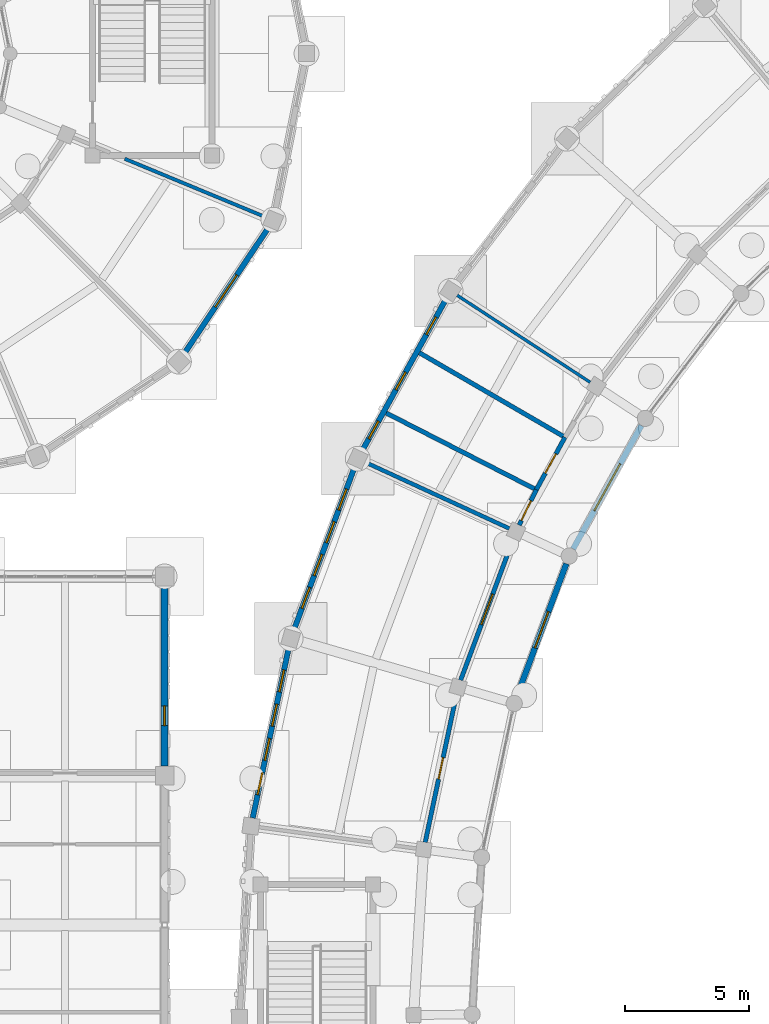
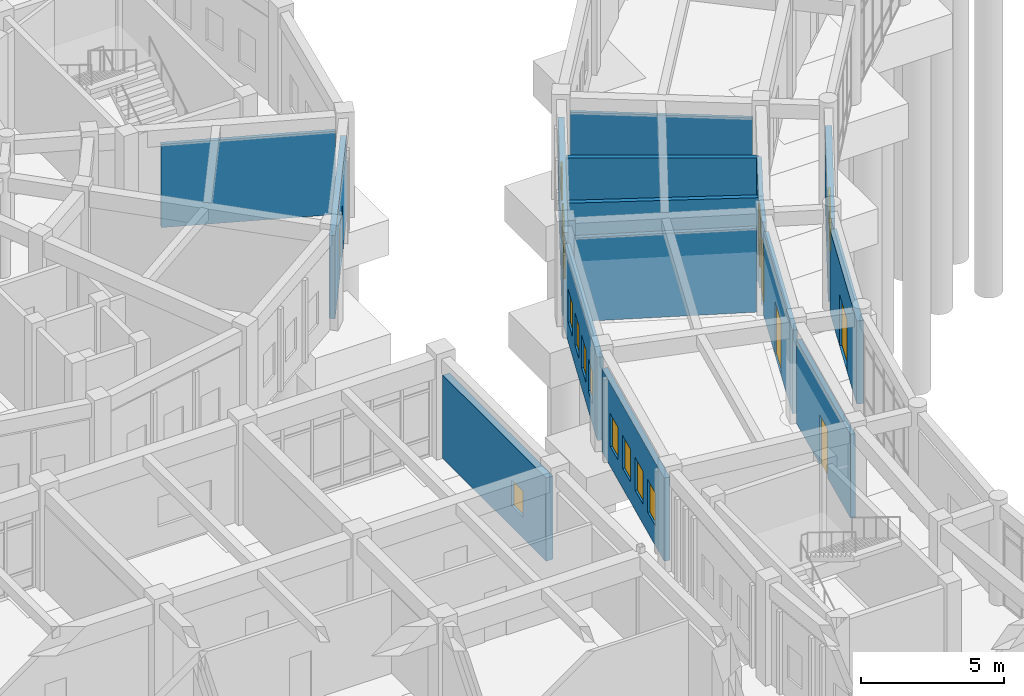
# One storey, part 127 of 153: 16 walls, 13 windows, 6 doors, 19 openings.
"""IFC4 building model written with IfcOpenShell, lengths in metres."""

from ifc_helpers import new_model, si_unit, direction, frame, frame_2d, origin, place, context, subcontext, project, spatial, rectangle, extrude, material, layer, layer_set, type_object, element, fill, save


model = new_model("IFC4")

# Units and contexts
model_context = context("Model", 3, precision=1e-05, world=origin(), true_north=direction((0.0, 1.0)))
body_context = subcontext(model_context, "Body", "Model", "MODEL_VIEW")
ifc_project = project(units=[si_unit("LENGTHUNIT", "METRE"), si_unit("AREAUNIT", "SQUARE_METRE"), si_unit("VOLUMEUNIT", "CUBIC_METRE"), si_unit("PLANEANGLEUNIT", "RADIAN"), si_unit("MASSUNIT", "GRAM", prefix="KILO")], contexts=[model_context])

# Site, building, storey
site_placement = place(None, origin())
site = spatial("IfcSite", under=ifc_project, at=site_placement, CompositionType="ELEMENT")
building_placement = place(site_placement, origin())
building = spatial("IfcBuilding", under=site, at=building_placement, Name="Celadon Cloister-Ring School", CompositionType="ELEMENT")
storey_placement = place(building_placement, origin())
storey = spatial("IfcBuildingStorey", under=building, at=storey_placement, Name="L00", CompositionType="ELEMENT", Elevation=0.0)

# Wall, opening, window
ifc_material_1 = material(Name="Rendered concrete blockwork", Category="masonry")
ifc_layer_1 = layer(ifc_material_1, 0.280029296875)
ifc_layer_set_1 = layer_set([ifc_layer_1], Name="Rendered concrete blockwork")
wall_type_1 = type_object("IfcWallType", Name="WT-EX1", PredefinedType="SOLIDWALL", material=ifc_layer_set_1)
wall_1_placement = place(storey_placement, frame((32.0, 75.623046875, 0.0), z_axis=(0.0, 0.0, 1.0), x_axis=(0.0, -1.0, 0.0)))
wall_1 = element("IfcWall", 1, at=wall_1_placement, inside=storey, type_object=wall_type_1, Name="Exterior Wall 0489", PredefinedType="SOLIDWALL", context=body_context, shape_type="SweptSolid", body=[
    extrude(rectangle(XDim=7.24609375, YDim=0.280029296875, at=frame_2d((3.623046875, 0.0))), origin(), (0.0, 0.0, 1.0), 3.550048828125),
])
opening_1_placement = place(wall_1_placement, frame((4.81689453125, 0.0, 0.89990234375)))
opening_1 = element("IfcOpeningElement", 2, at=opening_1_placement, cuts=wall_1, Name="Opening WN-01", PredefinedType="OPENING", context=body_context, shape_type="SweptSolid", body=[
    extrude(rectangle(XDim=0.800048828125, YDim=1.10009765625, at=frame_2d((0.39990234375, 0.550048828125))), frame((0.0, 0.14990234375, 0.0), z_axis=(0.0, -1.0, 0.0), x_axis=(1.0, 0.0, 0.0)), (0.0, 0.0, 1.0), 0.300048828125),
])
ifc_material_2 = material(Name="Tempered laminated insulating glass", Category="glass")
window_type_1 = type_object("IfcWindowType", Name="WN-01", PartitioningType="SINGLE_PANEL", PredefinedType="WINDOW", material=ifc_material_2)
window_1_placement = place(opening_1_placement, origin())
window_1 = element("IfcWindow", 3, at=window_1_placement, inside=storey, type_object=window_type_1, Name="Window 0997", OverallHeight=1.10009765625, OverallWidth=0.800048828125, PartitioningType="SINGLE_PANEL", PredefinedType="WINDOW", context=body_context, shape_type="SweptSolid", body=[
    extrude(rectangle(XDim=0.800048828125, YDim=1.10009765625, at=frame_2d((0.39990234375, 0.550048828125))), frame((0.0, 0.030029296875, 0.0), z_axis=(0.0, -1.0, 0.0), x_axis=(1.0, 0.0, 0.0)), (0.0, 0.0, 1.0), 0.06005859375),
])
fill(opening_1, window_1)

ifc_material_3 = material(Name="Rendered concrete blockwork", Category="masonry")
ifc_layer_2 = layer(ifc_material_3, 0.239990234375)
ifc_layer_set_2 = layer_set([ifc_layer_2], Name="Rendered concrete blockwork")
wall_type_2 = type_object("IfcWallType", Name="WT-EX3", PredefinedType="SOLIDWALL", material=ifc_layer_set_2)
wall_2_placement = place(storey_placement, frame((51.15087890625, 82.06298828125, 0.0), z_axis=(0.0, 0.0, 1.0), x_axis=(-0.483955379171, -0.875092675647, 0.0)))
wall_2 = element("IfcWall", 4, at=wall_2_placement, inside=storey, type_object=wall_type_2, Name="Exterior Wall 0006", PredefinedType="SOLIDWALL", context=body_context, shape_type="SweptSolid", body=[
    extrude(rectangle(XDim=5.665771484375, YDim=0.239990234375, at=frame_2d((2.8330078125, 0.0))), origin(), (0.0, 0.0, 1.0), 3.550048828125),
])
opening_2_placement = place(wall_2_placement, frame((1.758056640625, 0.0, 0.89990234375)))
opening_2 = element("IfcOpeningElement", 5, at=opening_2_placement, cuts=wall_2, Name="Opening WN-19", PredefinedType="OPENING", context=body_context, shape_type="SweptSolid", body=[
    extrude(rectangle(XDim=2.14990234375, YDim=1.25, at=frame_2d((1.074951171875, 0.625))), frame((0.0, 0.1298828125, 0.0), z_axis=(0.0, -1.0, 0.0), x_axis=(1.0, 0.0, 0.0)), (0.0, 0.0, 1.0), 0.260009765625),
])
ifc_material_4 = material(Name="Tempered laminated insulating glass", Category="glass")
window_type_2 = type_object("IfcWindowType", Name="WN-19", PartitioningType="DOUBLE_PANEL_VERTICAL", PredefinedType="WINDOW", material=ifc_material_4)
window_2_placement = place(opening_2_placement, origin())
window_2 = element("IfcWindow", 6, at=window_2_placement, inside=storey, type_object=window_type_2, Name="Window 0013", OverallHeight=1.25, OverallWidth=2.14990234375, PartitioningType="SINGLE_PANEL", PredefinedType="WINDOW", context=body_context, shape_type="SweptSolid", body=[
    extrude(rectangle(XDim=2.14990234375, YDim=1.25, at=frame_2d((1.074951171875, 0.625))), frame((0.0, 0.030029296875, 0.0), z_axis=(0.0, -1.0, 0.0), x_axis=(1.0, 0.0, 0.0)), (0.0, 0.0, 1.0), 0.06005859375),
])
fill(opening_2, window_2)

# Wall, opening, door
wall_3_placement = place(storey_placement, frame((48.136962890625, 76.512939453125, 0.0), z_axis=(0.0, 0.0, 1.0), x_axis=(-0.349503004543, -0.936935243128, 0.0)))
wall_3 = element("IfcWall", 7, at=wall_3_placement, inside=storey, type_object=wall_type_2, Name="Exterior Wall 0008", PredefinedType="SOLIDWALL", context=body_context, shape_type="SweptSolid", body=[
    extrude(rectangle(XDim=5.6650390625, YDim=0.239990234375, at=frame_2d((2.83251953125, 0.0))), origin(), (0.0, 0.0, 1.0), 3.550048828125),
])
opening_3_placement = place(wall_3_placement, frame((2.05810546875, 0.0, 0.0)))
opening_3 = element("IfcOpeningElement", 8, at=opening_3_placement, cuts=wall_3, Name="Opening D-0002", PredefinedType="OPENING", context=body_context, shape_type="SweptSolid", body=[
    extrude(rectangle(XDim=1.550048828125, YDim=2.199951171875, at=frame_2d((0.77490234375, 1.10009765625))), frame((0.0, 0.1298828125, 0.0), z_axis=(0.0, -1.0, 0.0), x_axis=(1.0, 0.0, 0.0)), (0.0, 0.0, 1.0), 0.260009765625),
])
ifc_material_5 = material(Name="Aluminium EN AW-6063 T6", Category="aluminium")
door_type_1 = type_object("IfcDoorType", Name="DE-08", OperationType="NOTDEFINED", PredefinedType="DOOR", material=ifc_material_5)
door_1_placement = place(opening_3_placement, origin())
door_1 = element("IfcDoor", 9, at=door_1_placement, inside=storey, type_object=door_type_1, Name="Exterior Door D-0002", OperationType="SINGLE_SWING_RIGHT", OverallHeight=2.199951171875, OverallWidth=1.550048828125, PredefinedType="DOOR", context=body_context, shape_type="SweptSolid", body=[
    extrude(rectangle(XDim=1.550048828125, YDim=2.199951171875, at=frame_2d((0.77490234375, 1.10009765625))), frame((0.0, 0.02490234375, 0.0), z_axis=(0.0, -1.0, 0.0), x_axis=(1.0, 0.0, 0.0)), (0.0, 0.0, 1.0), 0.050048828125),
])
fill(opening_3, door_1)

# Wall, openings, windows
ifc_material_6 = material(Name="Perforated terracotta clay brick masonry", Category="masonry")
ifc_layer_3 = layer(ifc_material_6, 0.219970703125)
ifc_layer_set_3 = layer_set([ifc_layer_3], Name="Perforated terracotta clay brick masonry")
wall_type_3 = type_object("IfcWallType", Name="WT-EX4", PredefinedType="SOLIDWALL", material=ifc_layer_set_3)
wall_4_placement = place(storey_placement, frame((39.9189453125, 81.02001953125, 0.0), z_axis=(0.0, 0.0, 1.0), x_axis=(0.483873000068, 0.87513822897, 0.0)))
wall_4 = element("IfcWall", 10, at=wall_4_placement, inside=storey, type_object=wall_type_3, Name="Exterior Wall 0005", PredefinedType="SOLIDWALL", context=body_context, shape_type="SweptSolid", body=[
    extrude(rectangle(XDim=7.031005859375, YDim=0.219970703125, at=frame_2d((3.515625, 0.0))), origin(), (0.0, 0.0, 1.0), 3.550048828125),
])
opening_4_placement = place(wall_4_placement, frame((0.583984375, 0.0, 1.14990234375)))
opening_4 = element("IfcOpeningElement", 11, at=opening_4_placement, cuts=wall_4, Name="Opening WN-01", PredefinedType="OPENING", context=body_context, shape_type="SweptSolid", body=[
    extrude(rectangle(XDim=0.800048828125, YDim=1.10009765625, at=frame_2d((0.39990234375, 0.550048828125))), frame((0.0, 0.1201171875, 0.0), z_axis=(0.0, -1.0, 0.0), x_axis=(1.0, 0.0, 0.0)), (0.0, 0.0, 1.0), 0.239990234375),
])
opening_5_placement = place(wall_4_placement, frame((2.833984375, 0.0, 1.14990234375)))
opening_5 = element("IfcOpeningElement", 12, at=opening_5_placement, cuts=wall_4, Name="Opening WN-01", PredefinedType="OPENING", context=body_context, shape_type="SweptSolid", body=[
    extrude(rectangle(XDim=0.800048828125, YDim=1.10009765625, at=frame_2d((0.39990234375, 0.550048828125))), frame((0.0, 0.1201171875, 0.0), z_axis=(0.0, -1.0, 0.0), x_axis=(1.0, 0.0, 0.0)), (0.0, 0.0, 1.0), 0.239990234375),
])
opening_6_placement = place(wall_4_placement, frame((5.364990234375, 0.0, 1.14990234375)))
opening_6 = element("IfcOpeningElement", 13, at=opening_6_placement, cuts=wall_4, Name="Opening WN-01", PredefinedType="OPENING", context=body_context, shape_type="SweptSolid", body=[
    extrude(rectangle(XDim=0.800048828125, YDim=1.10009765625, at=frame_2d((0.39990234375, 0.550048828125))), frame((0.0, 0.1201171875, 0.0), z_axis=(0.0, -1.0, 0.0), x_axis=(1.0, 0.0, 0.0)), (0.0, 0.0, 1.0), 0.239990234375),
])
window_3_placement = place(opening_4_placement, origin())
window_3 = element("IfcWindow", 14, at=window_3_placement, inside=storey, type_object=window_type_1, Name="Window 0010", OverallHeight=1.10009765625, OverallWidth=0.800048828125, PartitioningType="SINGLE_PANEL", PredefinedType="WINDOW", context=body_context, shape_type="SweptSolid", body=[
    extrude(rectangle(XDim=0.800048828125, YDim=1.10009765625, at=frame_2d((0.39990234375, 0.550048828125))), frame((0.0, 0.030029296875, 0.0), z_axis=(0.0, -1.0, 0.0), x_axis=(1.0, 0.0, 0.0)), (0.0, 0.0, 1.0), 0.06005859375),
])
fill(opening_4, window_3)
window_4_placement = place(opening_5_placement, origin())
window_4 = element("IfcWindow", 15, at=window_4_placement, inside=storey, type_object=window_type_1, Name="Window 0011", OverallHeight=1.10009765625, OverallWidth=0.800048828125, PartitioningType="SINGLE_PANEL", PredefinedType="WINDOW", context=body_context, shape_type="SweptSolid", body=[
    extrude(rectangle(XDim=0.800048828125, YDim=1.10009765625, at=frame_2d((0.39990234375, 0.550048828125))), frame((0.0, 0.030029296875, 0.0), z_axis=(0.0, -1.0, 0.0), x_axis=(1.0, 0.0, 0.0)), (0.0, 0.0, 1.0), 0.06005859375),
])
fill(opening_5, window_4)
window_5_placement = place(opening_6_placement, origin())
window_5 = element("IfcWindow", 16, at=window_5_placement, inside=storey, type_object=window_type_1, Name="Window 0012", OverallHeight=1.10009765625, OverallWidth=0.800048828125, PartitioningType="SINGLE_PANEL", PredefinedType="WINDOW", context=body_context, shape_type="SweptSolid", body=[
    extrude(rectangle(XDim=0.800048828125, YDim=1.10009765625, at=frame_2d((0.39990234375, 0.550048828125))), frame((0.0, 0.030029296875, 0.0), z_axis=(0.0, -1.0, 0.0), x_axis=(1.0, 0.0, 0.0)), (0.0, 0.0, 1.0), 0.06005859375),
])
fill(opening_6, window_5)

wall_5_placement = place(storey_placement, frame((37.181884765625, 73.822998046875, 0.0), z_axis=(0.0, 0.0, 1.0), x_axis=(0.349448583385, 0.936955541939, 0.0)))
wall_5 = element("IfcWall", 17, at=wall_5_placement, inside=storey, type_object=wall_type_3, Name="Exterior Wall 0007", PredefinedType="SOLIDWALL", context=body_context, shape_type="SweptSolid", body=[
    extrude(rectangle(XDim=7.03125, YDim=0.219970703125, at=frame_2d((3.515625, 0.0))), origin(), (0.0, 0.0, 1.0), 3.550048828125),
])
opening_7_placement = place(wall_5_placement, frame((0.9560546875, 0.0, 0.85009765625)))
opening_7 = element("IfcOpeningElement", 18, at=opening_7_placement, cuts=wall_5, Name="Opening WN-21", PredefinedType="OPENING", context=body_context, shape_type="SweptSolid", body=[
    extrude(rectangle(XDim=0.89990234375, YDim=1.39990234375, at=frame_2d((0.449951171875, 0.699951171875))), frame((0.0, 0.1201171875, 0.0), z_axis=(0.0, -1.0, 0.0), x_axis=(1.0, 0.0, 0.0)), (0.0, 0.0, 1.0), 0.239990234375),
])
opening_8_placement = place(wall_5_placement, frame((2.363037109375, 0.0, 0.85009765625)))
opening_8 = element("IfcOpeningElement", 19, at=opening_8_placement, cuts=wall_5, Name="Opening WN-21", PredefinedType="OPENING", context=body_context, shape_type="SweptSolid", body=[
    extrude(rectangle(XDim=0.89990234375, YDim=1.39990234375, at=frame_2d((0.449951171875, 0.699951171875))), frame((0.0, 0.1201171875, 0.0), z_axis=(0.0, -1.0, 0.0), x_axis=(1.0, 0.0, 0.0)), (0.0, 0.0, 1.0), 0.239990234375),
])
opening_9_placement = place(wall_5_placement, frame((3.76904296875, 0.0, 0.85009765625)))
opening_9 = element("IfcOpeningElement", 20, at=opening_9_placement, cuts=wall_5, Name="Opening WN-21", PredefinedType="OPENING", context=body_context, shape_type="SweptSolid", body=[
    extrude(rectangle(XDim=0.89990234375, YDim=1.39990234375, at=frame_2d((0.449951171875, 0.699951171875))), frame((0.0, 0.1201171875, 0.0), z_axis=(0.0, -1.0, 0.0), x_axis=(1.0, 0.0, 0.0)), (0.0, 0.0, 1.0), 0.239990234375),
])
opening_10_placement = place(wall_5_placement, frame((5.175048828125, 0.0, 0.85009765625)))
opening_10 = element("IfcOpeningElement", 21, at=opening_10_placement, cuts=wall_5, Name="Opening WN-21", PredefinedType="OPENING", context=body_context, shape_type="SweptSolid", body=[
    extrude(rectangle(XDim=0.89990234375, YDim=1.39990234375, at=frame_2d((0.449951171875, 0.699951171875))), frame((0.0, 0.1201171875, 0.0), z_axis=(0.0, -1.0, 0.0), x_axis=(1.0, 0.0, 0.0)), (0.0, 0.0, 1.0), 0.239990234375),
])
ifc_material_7 = material(Name="Tempered laminated insulating glass", Category="glass")
window_type_3 = type_object("IfcWindowType", Name="WN-21", PartitioningType="SINGLE_PANEL", PredefinedType="WINDOW", material=ifc_material_7)
window_6_placement = place(opening_7_placement, origin())
window_6 = element("IfcWindow", 22, at=window_6_placement, inside=storey, type_object=window_type_3, Name="Window 0014", OverallHeight=1.39990234375, OverallWidth=0.89990234375, PartitioningType="SINGLE_PANEL", PredefinedType="WINDOW", context=body_context, shape_type="SweptSolid", body=[
    extrude(rectangle(XDim=0.89990234375, YDim=1.39990234375, at=frame_2d((0.449951171875, 0.699951171875))), frame((0.0, 0.030029296875, 0.0), z_axis=(0.0, -1.0, 0.0), x_axis=(1.0, 0.0, 0.0)), (0.0, 0.0, 1.0), 0.06005859375),
])
fill(opening_7, window_6)
window_7_placement = place(opening_8_placement, origin())
window_7 = element("IfcWindow", 23, at=window_7_placement, inside=storey, type_object=window_type_3, Name="Window 0015", OverallHeight=1.39990234375, OverallWidth=0.89990234375, PartitioningType="SINGLE_PANEL", PredefinedType="WINDOW", context=body_context, shape_type="SweptSolid", body=[
    extrude(rectangle(XDim=0.89990234375, YDim=1.39990234375, at=frame_2d((0.449951171875, 0.699951171875))), frame((0.0, 0.030029296875, 0.0), z_axis=(0.0, -1.0, 0.0), x_axis=(1.0, 0.0, 0.0)), (0.0, 0.0, 1.0), 0.06005859375),
])
fill(opening_8, window_7)
window_8_placement = place(opening_9_placement, origin())
window_8 = element("IfcWindow", 24, at=window_8_placement, inside=storey, type_object=window_type_3, Name="Window 0016", OverallHeight=1.39990234375, OverallWidth=0.89990234375, PartitioningType="SINGLE_PANEL", PredefinedType="WINDOW", context=body_context, shape_type="SweptSolid", body=[
    extrude(rectangle(XDim=0.89990234375, YDim=1.39990234375, at=frame_2d((0.449951171875, 0.699951171875))), frame((0.0, 0.030029296875, 0.0), z_axis=(0.0, -1.0, 0.0), x_axis=(1.0, 0.0, 0.0)), (0.0, 0.0, 1.0), 0.06005859375),
])
fill(opening_9, window_8)
window_9_placement = place(opening_10_placement, origin())
window_9 = element("IfcWindow", 25, at=window_9_placement, inside=storey, type_object=window_type_3, Name="Window 0017", OverallHeight=1.39990234375, OverallWidth=0.89990234375, PartitioningType="SINGLE_PANEL", PredefinedType="WINDOW", context=body_context, shape_type="SweptSolid", body=[
    extrude(rectangle(XDim=0.89990234375, YDim=1.39990234375, at=frame_2d((0.449951171875, 0.699951171875))), frame((0.0, 0.030029296875, 0.0), z_axis=(0.0, -1.0, 0.0), x_axis=(1.0, 0.0, 0.0)), (0.0, 0.0, 1.0), 0.06005859375),
])
fill(opening_10, window_9)

wall_6_placement = place(storey_placement, frame((35.5390625, 66.300048828125, 0.0), z_axis=(0.0, 0.0, 1.0), x_axis=(0.207081302077, 0.978323736976, 0.0)))
wall_6 = element("IfcWall", 26, at=wall_6_placement, inside=storey, type_object=wall_type_3, Name="Exterior Wall 0009", PredefinedType="SOLIDWALL", context=body_context, shape_type="SweptSolid", body=[
    extrude(rectangle(XDim=7.03125, YDim=0.219970703125, at=frame_2d((3.515625, 0.0))), origin(), (0.0, 0.0, 1.0), 3.550048828125),
])
opening_11_placement = place(wall_6_placement, frame((0.9560546875, 0.0, 0.85009765625)))
opening_11 = element("IfcOpeningElement", 27, at=opening_11_placement, cuts=wall_6, Name="Opening WN-21", PredefinedType="OPENING", context=body_context, shape_type="SweptSolid", body=[
    extrude(rectangle(XDim=0.89990234375, YDim=1.39990234375, at=frame_2d((0.449951171875, 0.699951171875))), frame((0.0, 0.1201171875, 0.0), z_axis=(0.0, -1.0, 0.0), x_axis=(1.0, 0.0, 0.0)), (0.0, 0.0, 1.0), 0.239990234375),
])
opening_12_placement = place(wall_6_placement, frame((2.363037109375, 0.0, 0.85009765625)))
opening_12 = element("IfcOpeningElement", 28, at=opening_12_placement, cuts=wall_6, Name="Opening WN-21", PredefinedType="OPENING", context=body_context, shape_type="SweptSolid", body=[
    extrude(rectangle(XDim=0.89990234375, YDim=1.39990234375, at=frame_2d((0.449951171875, 0.699951171875))), frame((0.0, 0.1201171875, 0.0), z_axis=(0.0, -1.0, 0.0), x_axis=(1.0, 0.0, 0.0)), (0.0, 0.0, 1.0), 0.239990234375),
])
opening_13_placement = place(wall_6_placement, frame((3.76904296875, 0.0, 0.85009765625)))
opening_13 = element("IfcOpeningElement", 29, at=opening_13_placement, cuts=wall_6, Name="Opening WN-21", PredefinedType="OPENING", context=body_context, shape_type="SweptSolid", body=[
    extrude(rectangle(XDim=0.89990234375, YDim=1.39990234375, at=frame_2d((0.449951171875, 0.699951171875))), frame((0.0, 0.1201171875, 0.0), z_axis=(0.0, -1.0, 0.0), x_axis=(1.0, 0.0, 0.0)), (0.0, 0.0, 1.0), 0.239990234375),
])
opening_14_placement = place(wall_6_placement, frame((5.175048828125, 0.0, 0.85009765625)))
opening_14 = element("IfcOpeningElement", 30, at=opening_14_placement, cuts=wall_6, Name="Opening WN-21", PredefinedType="OPENING", context=body_context, shape_type="SweptSolid", body=[
    extrude(rectangle(XDim=0.89990234375, YDim=1.39990234375, at=frame_2d((0.449951171875, 0.699951171875))), frame((0.0, 0.1201171875, 0.0), z_axis=(0.0, -1.0, 0.0), x_axis=(1.0, 0.0, 0.0)), (0.0, 0.0, 1.0), 0.239990234375),
])
window_10_placement = place(opening_11_placement, origin())
window_10 = element("IfcWindow", 31, at=window_10_placement, inside=storey, type_object=window_type_3, Name="Window 0018", OverallHeight=1.39990234375, OverallWidth=0.89990234375, PartitioningType="SINGLE_PANEL", PredefinedType="WINDOW", context=body_context, shape_type="SweptSolid", body=[
    extrude(rectangle(XDim=0.89990234375, YDim=1.39990234375, at=frame_2d((0.449951171875, 0.699951171875))), frame((0.0, 0.030029296875, 0.0), z_axis=(0.0, -1.0, 0.0), x_axis=(1.0, 0.0, 0.0)), (0.0, 0.0, 1.0), 0.06005859375),
])
fill(opening_11, window_10)
window_11_placement = place(opening_12_placement, origin())
window_11 = element("IfcWindow", 32, at=window_11_placement, inside=storey, type_object=window_type_3, Name="Window 0019", OverallHeight=1.39990234375, OverallWidth=0.89990234375, PartitioningType="SINGLE_PANEL", PredefinedType="WINDOW", context=body_context, shape_type="SweptSolid", body=[
    extrude(rectangle(XDim=0.89990234375, YDim=1.39990234375, at=frame_2d((0.449951171875, 0.699951171875))), frame((0.0, 0.030029296875, 0.0), z_axis=(0.0, -1.0, 0.0), x_axis=(1.0, 0.0, 0.0)), (0.0, 0.0, 1.0), 0.06005859375),
])
fill(opening_12, window_11)
window_12_placement = place(opening_13_placement, origin())
window_12 = element("IfcWindow", 33, at=window_12_placement, inside=storey, type_object=window_type_3, Name="Window 0020", OverallHeight=1.39990234375, OverallWidth=0.89990234375, PartitioningType="SINGLE_PANEL", PredefinedType="WINDOW", context=body_context, shape_type="SweptSolid", body=[
    extrude(rectangle(XDim=0.89990234375, YDim=1.39990234375, at=frame_2d((0.449951171875, 0.699951171875))), frame((0.0, 0.030029296875, 0.0), z_axis=(0.0, -1.0, 0.0), x_axis=(1.0, 0.0, 0.0)), (0.0, 0.0, 1.0), 0.06005859375),
])
fill(opening_13, window_12)
window_13_placement = place(opening_14_placement, origin())
window_13 = element("IfcWindow", 34, at=window_13_placement, inside=storey, type_object=window_type_3, Name="Window 0021", OverallHeight=1.39990234375, OverallWidth=0.89990234375, PartitioningType="SINGLE_PANEL", PredefinedType="WINDOW", context=body_context, shape_type="SweptSolid", body=[
    extrude(rectangle(XDim=0.89990234375, YDim=1.39990234375, at=frame_2d((0.449951171875, 0.699951171875))), frame((0.0, 0.030029296875, 0.0), z_axis=(0.0, -1.0, 0.0), x_axis=(1.0, 0.0, 0.0)), (0.0, 0.0, 1.0), 0.06005859375),
])
fill(opening_14, window_13)

# Wall, opening, door
wall_7_placement = place(storey_placement, frame((36.1708984375, 90.008056640625, 0.0), z_axis=(0.0, 0.0, 1.0), x_axis=(-0.555657446161, -0.831411331728, 0.0)))
wall_7 = element("IfcWall", 35, at=wall_7_placement, inside=storey, type_object=wall_type_3, Name="Exterior Wall 0228", PredefinedType="SOLIDWALL", context=body_context, shape_type="SweptSolid", body=[
    extrude(rectangle(XDim=6.11865234375, YDim=0.219970703125, at=frame_2d((3.059326171875, 0.0))), origin(), (0.0, 0.0, 1.0), 3.550048828125),
])
opening_15_placement = place(wall_7_placement, frame((2.283935546875, 0.0, 0.0)))
opening_15 = element("IfcOpeningElement", 36, at=opening_15_placement, cuts=wall_7, Name="Opening D-0012", PredefinedType="OPENING", context=body_context, shape_type="SweptSolid", body=[
    extrude(rectangle(XDim=1.550048828125, YDim=2.199951171875, at=frame_2d((0.77490234375, 1.10009765625))), frame((0.0, 0.1201171875, 0.0), z_axis=(0.0, -1.0, 0.0), x_axis=(1.0, 0.0, 0.0)), (0.0, 0.0, 1.0), 0.239990234375),
])
door_2_placement = place(opening_15_placement, origin())
door_2 = element("IfcDoor", 37, at=door_2_placement, inside=storey, type_object=door_type_1, Name="Exterior Door D-0012", OperationType="SINGLE_SWING_RIGHT", OverallHeight=2.199951171875, OverallWidth=1.550048828125, PredefinedType="DOOR", context=body_context, shape_type="SweptSolid", body=[
    extrude(rectangle(XDim=1.550048828125, YDim=2.199951171875, at=frame_2d((0.77490234375, 1.10009765625))), frame((0.0, 0.02490234375, 0.0), z_axis=(0.0, -1.0, 0.0), x_axis=(1.0, 0.0, 0.0)), (0.0, 0.0, 1.0), 0.050048828125),
])
fill(opening_15, door_2)

# Walls
ifc_material_8 = material(Name="Plastered hollow concrete masonry", Category="masonry")
ifc_layer_4 = layer(ifc_material_8, 0.179931640625)
ifc_layer_set_4 = layer_set([ifc_layer_4], Name="Plastered hollow concrete masonry")
wall_type_4 = type_object("IfcWallType", Name="WT-PT2", PredefinedType="PARTITIONING", material=ifc_layer_set_4)
wall_8_placement = place(storey_placement, frame((48.0810546875, 81.591064453125, 0.0), z_axis=(0.0, 0.0, 1.0), x_axis=(-0.864871459639, 0.501993384719, 0.0)))
element("IfcWall", 38, at=wall_8_placement, inside=storey, type_object=wall_type_4, Name="Interior Wall 0448", PredefinedType="PARTITIONING", context=body_context, shape_type="SweptSolid", body=[
    extrude(rectangle(XDim=6.7548828125, YDim=0.179931640625, at=frame_2d((3.37744140625, 0.0))), origin(), (0.0, 0.0, 1.0), 3.572021484375),
])
wall_9_placement = place(storey_placement, frame((46.930908203125, 79.48193359375, 0.0), z_axis=(0.0, 0.0, 1.0), x_axis=(-0.890396362977, 0.455186024387, 0.0)))
element("IfcWall", 39, at=wall_9_placement, inside=storey, type_object=wall_type_4, Name="Interior Wall 0449", PredefinedType="PARTITIONING", context=body_context, shape_type="SweptSolid", body=[
    extrude(rectangle(XDim=6.77099609375, YDim=0.179931640625, at=frame_2d((3.385498046875, 0.0))), origin(), (0.0, 0.0, 1.0), 3.572021484375),
])

# Wall, opening, door
wall_10_placement = place(storey_placement, frame((48.0810546875, 81.591064453125, 0.0), z_axis=(0.0, 0.0, 1.0), x_axis=(-0.478759564311, -0.87794605733, 0.0)))
wall_10 = element("IfcWall", 40, at=wall_10_placement, inside=storey, type_object=wall_type_4, Name="Interior Wall 0456", PredefinedType="PARTITIONING", context=body_context, shape_type="SweptSolid", body=[
    extrude(rectangle(XDim=2.40234375, YDim=0.179931640625, at=frame_2d((1.201171875, 0.0))), origin(), (0.0, 0.0, 1.0), 3.572021484375),
])
opening_16_placement = place(wall_10_placement, frame((0.760986328125, 0.0, 0.0)))
opening_16 = element("IfcOpeningElement", 41, at=opening_16_placement, cuts=wall_10, Name="Opening D-0117", PredefinedType="OPENING", context=body_context, shape_type="SweptSolid", body=[
    extrude(rectangle(XDim=0.8798828125, YDim=2.10009765625, at=frame_2d((0.43994140625, 1.050048828125))), frame((0.0, 0.10009765625, 0.0), z_axis=(0.0, -1.0, 0.0), x_axis=(1.0, 0.0, 0.0)), (0.0, 0.0, 1.0), 0.199951171875),
])
ifc_material_9 = material(Name="Solid-core fire-rated hardwood leaf", Category="wood")
door_type_2 = type_object("IfcDoorType", Name="DT-01", OperationType="NOTDEFINED", PredefinedType="DOOR", material=ifc_material_9)
door_3_placement = place(opening_16_placement, origin())
door_3 = element("IfcDoor", 42, at=door_3_placement, inside=storey, type_object=door_type_2, Name="Door D-0117", OperationType="SINGLE_SWING_LEFT", OverallHeight=2.10009765625, OverallWidth=0.8798828125, PredefinedType="DOOR", context=body_context, shape_type="SweptSolid", body=[
    extrude(rectangle(XDim=0.8798828125, YDim=2.10009765625, at=frame_2d((0.43994140625, 1.050048828125))), frame((0.0, 0.02490234375, 0.0), z_axis=(0.0, -1.0, 0.0), x_axis=(1.0, 0.0, 0.0)), (0.0, 0.0, 1.0), 0.050048828125),
])
fill(opening_16, door_3)

wall_11_placement = place(storey_placement, frame((46.930908203125, 79.48193359375, 0.0), z_axis=(0.0, 0.0, 1.0), x_axis=(-0.436524333187, -0.899692451083, 0.0)))
wall_11 = element("IfcWall", 43, at=wall_11_placement, inside=storey, type_object=wall_type_4, Name="Interior Wall 0457", PredefinedType="PARTITIONING", context=body_context, shape_type="SweptSolid", body=[
    extrude(rectangle(XDim=1.576171875, YDim=0.179931640625, at=frame_2d((0.7880859375, 0.0))), origin(), (0.0, 0.0, 1.0), 3.572021484375),
])
opening_17_placement = place(wall_11_placement, frame((0.493896484375, 0.0, 0.0)))
opening_17 = element("IfcOpeningElement", 44, at=opening_17_placement, cuts=wall_11, Name="Opening D-0118", PredefinedType="OPENING", context=body_context, shape_type="SweptSolid", body=[
    extrude(rectangle(XDim=0.8798828125, YDim=2.10009765625, at=frame_2d((0.43994140625, 1.050048828125))), frame((0.0, 0.10009765625, 0.0), z_axis=(0.0, -1.0, 0.0), x_axis=(1.0, 0.0, 0.0)), (0.0, 0.0, 1.0), 0.199951171875),
])
door_4_placement = place(opening_17_placement, origin())
door_4 = element("IfcDoor", 45, at=door_4_placement, inside=storey, type_object=door_type_2, Name="Door D-0118", OperationType="SINGLE_SWING_RIGHT", OverallHeight=2.10009765625, OverallWidth=0.8798828125, PredefinedType="DOOR", context=body_context, shape_type="SweptSolid", body=[
    extrude(rectangle(XDim=0.8798828125, YDim=2.10009765625, at=frame_2d((0.43994140625, 1.050048828125))), frame((0.0, 0.02490234375, 0.0), z_axis=(0.0, -1.0, 0.0), x_axis=(1.0, 0.0, 0.0)), (0.0, 0.0, 1.0), 0.050048828125),
])
fill(opening_17, door_4)

wall_12_placement = place(storey_placement, frame((46.013916015625, 77.527099609375, 0.0), z_axis=(0.0, 0.0, 1.0), x_axis=(-0.349429044264, -0.936962829052, 0.0)))
wall_12 = element("IfcWall", 46, at=wall_12_placement, inside=storey, type_object=wall_type_4, Name="Interior Wall 0458", PredefinedType="PARTITIONING", context=body_context, shape_type="SweptSolid", body=[
    extrude(rectangle(XDim=6.081298828125, YDim=0.179931640625, at=frame_2d((3.04052734375, 0.0))), origin(), (0.0, 0.0, 1.0), 3.572021484375),
])
opening_18_placement = place(wall_12_placement, frame((2.39111328125, 0.0, 0.0)))
opening_18 = element("IfcOpeningElement", 47, at=opening_18_placement, cuts=wall_12, Name="Opening D-0119", PredefinedType="OPENING", context=body_context, shape_type="SweptSolid", body=[
    extrude(rectangle(XDim=1.300048828125, YDim=2.280029296875, at=frame_2d((0.64990234375, 1.14013671875))), frame((0.0, 0.10009765625, 0.0), z_axis=(0.0, -1.0, 0.0), x_axis=(1.0, 0.0, 0.0)), (0.0, 0.0, 1.0), 0.199951171875),
])
ifc_material_10 = material(Name="Galvanised fire-rated hollow steel leaf", Category="steel")
door_type_3 = type_object("IfcDoorType", Name="DT-16", OperationType="NOTDEFINED", PredefinedType="DOOR", material=ifc_material_10)
door_5_placement = place(opening_18_placement, origin())
door_5 = element("IfcDoor", 48, at=door_5_placement, inside=storey, type_object=door_type_3, Name="Door D-0119", OperationType="SINGLE_SWING_LEFT", OverallHeight=2.280029296875, OverallWidth=1.300048828125, PredefinedType="DOOR", context=body_context, shape_type="SweptSolid", body=[
    extrude(rectangle(XDim=1.300048828125, YDim=2.280029296875, at=frame_2d((0.64990234375, 1.14013671875))), frame((0.0, 0.02490234375, 0.0), z_axis=(0.0, -1.0, 0.0), x_axis=(1.0, 0.0, 0.0)), (0.0, 0.0, 1.0), 0.050048828125),
])
fill(opening_18, door_5)

wall_13_placement = place(storey_placement, frame((43.72607421875, 71.26904296875, 0.0), z_axis=(0.0, 0.0, 1.0), x_axis=(-0.206987404473, -0.978343607527, 0.0)))
wall_13 = element("IfcWall", 49, at=wall_13_placement, inside=storey, type_object=wall_type_4, Name="Interior Wall 0459", PredefinedType="PARTITIONING", context=body_context, shape_type="SweptSolid", body=[
    extrude(rectangle(XDim=6.082763671875, YDim=0.179931640625, at=frame_2d((3.04150390625, 0.0))), origin(), (0.0, 0.0, 1.0), 3.572021484375),
])
opening_19_placement = place(wall_13_placement, frame((2.60107421875, 0.0, 0.0)))
opening_19 = element("IfcOpeningElement", 50, at=opening_19_placement, cuts=wall_13, Name="Opening D-0120", PredefinedType="OPENING", context=body_context, shape_type="SweptSolid", body=[
    extrude(rectangle(XDim=0.8798828125, YDim=2.10009765625, at=frame_2d((0.43994140625, 1.050048828125))), frame((0.0, 0.10009765625, 0.0), z_axis=(0.0, -1.0, 0.0), x_axis=(1.0, 0.0, 0.0)), (0.0, 0.0, 1.0), 0.199951171875),
])
door_6_placement = place(opening_19_placement, origin())
door_6 = element("IfcDoor", 51, at=door_6_placement, inside=storey, type_object=door_type_2, Name="Door D-0120", OperationType="SINGLE_SWING_RIGHT", OverallHeight=2.10009765625, OverallWidth=0.8798828125, PredefinedType="DOOR", context=body_context, shape_type="SweptSolid", body=[
    extrude(rectangle(XDim=0.8798828125, YDim=2.10009765625, at=frame_2d((0.43994140625, 1.050048828125))), frame((0.0, 0.02490234375, 0.0), z_axis=(0.0, -1.0, 0.0), x_axis=(1.0, 0.0, 0.0)), (0.0, 0.0, 1.0), 0.050048828125),
])
fill(opening_19, door_6)

# Walls
ifc_material_11 = material(Name="Plastered hollow concrete masonry", Category="masonry")
ifc_layer_5 = layer(ifc_material_11, 0.159912109375)
ifc_layer_set_5 = layer_set([ifc_layer_5], Name="Plastered hollow concrete masonry")
wall_type_5 = type_object("IfcWallType", Name="WT-PT3", PredefinedType="PARTITIONING", material=ifc_layer_set_5)
wall_14_placement = place(storey_placement, frame((45.85107421875, 77.923095703125, 0.0), z_axis=(0.0, 0.0, 1.0), x_axis=(-0.908513073448, 0.41785642914, 0.0)))
element("IfcWall", 52, at=wall_14_placement, inside=storey, type_object=wall_type_5, Name="Interior Wall 0429", PredefinedType="PARTITIONING", context=body_context, shape_type="SweptSolid", body=[
    extrude(rectangle(XDim=6.391845703125, YDim=0.159912109375, at=frame_2d((3.19580078125, 0.0))), origin(), (0.0, 0.0, 1.0), 3.572021484375),
])
ifc_material_12 = material(Name="Acoustic mineral-wool drywall partition")
ifc_layer_6 = layer(ifc_material_12, 0.139892578125)
ifc_layer_set_6 = layer_set([ifc_layer_6], Name="Acoustic mineral-wool drywall partition")
wall_type_6 = type_object("IfcWallType", Name="WT-PT4", PredefinedType="PARTITIONING", material=ifc_layer_set_6)
wall_15_placement = place(storey_placement, frame((30.39599609375, 92.777099609375, 0.0), z_axis=(0.0, 0.0, 1.0), x_axis=(0.923837705987, -0.382784394923, 0.0)))
element("IfcWall", 53, at=wall_15_placement, inside=storey, type_object=wall_type_6, Name="Interior Wall 0657", PredefinedType="PARTITIONING", context=body_context, shape_type="SweptSolid", body=[
    extrude(rectangle(XDim=6.147216796875, YDim=0.139892578125, at=frame_2d((3.07373046875, 0.0))), origin(), (0.0, 0.0, 1.0), 3.552001953125),
])
ifc_material_13 = material(Name="Acoustic mineral-wool drywall partition")
ifc_layer_7 = layer(ifc_material_13, 0.1201171875)
ifc_layer_set_7 = layer_set([ifc_layer_7], Name="Acoustic mineral-wool drywall partition")
wall_type_7 = type_object("IfcWallType", Name="WT-PT5", PredefinedType="PARTITIONING", material=ifc_layer_set_7)
wall_16_placement = place(storey_placement, frame((49.097900390625, 83.794921875, 0.0), z_axis=(0.0, 0.0, 1.0), x_axis=(-0.836919139192, 0.547326551935, 0.0)))
element("IfcWall", 54, at=wall_16_placement, inside=storey, type_object=wall_type_7, Name="Interior Wall 0428", PredefinedType="PARTITIONING", context=body_context, shape_type="SweptSolid", body=[
    extrude(rectangle(XDim=6.39111328125, YDim=0.1201171875, at=frame_2d((3.195556640625, 0.0))), origin(), (0.0, 0.0, 1.0), 3.572021484375),
])

save(model, "model.ifc")
